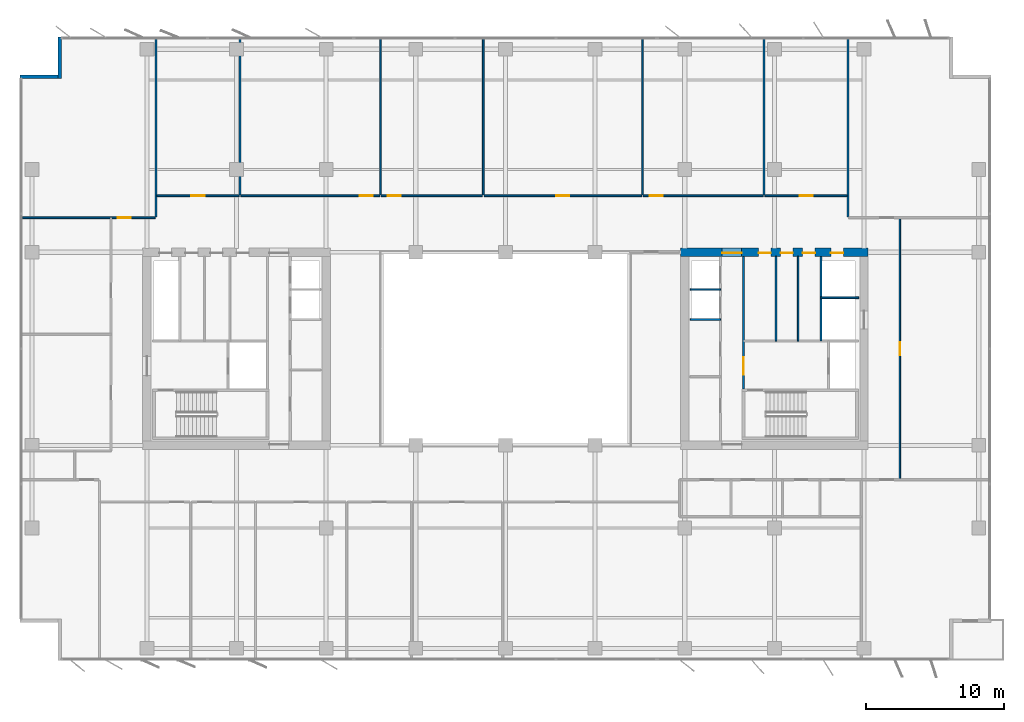
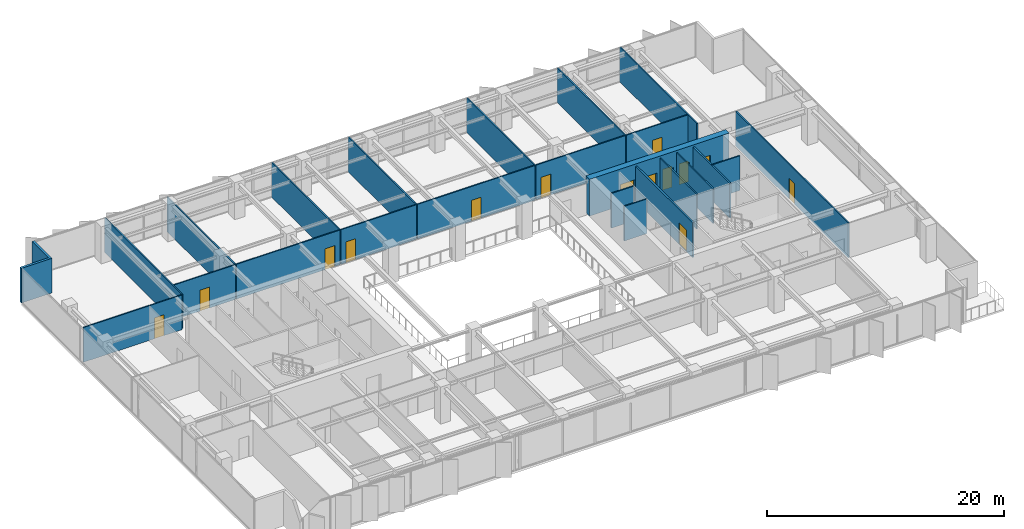
# One storey, part 17 of 22: 25 walls, 14 doors, 14 openings.
"""IFC4 building model written with IfcOpenShell, lengths in metres."""

from ifc_helpers import new_model, si_unit, direction, frame, frame_2d, origin, place, context, subcontext, project, spatial, rectangle, extrude, material, layer, layer_set, type_object, element, fill, save


model = new_model("IFC4")

# Units and contexts
model_context = context("Model", 3, precision=1e-05, world=origin(), true_north=direction((0.0, 1.0)))
body_context = subcontext(model_context, "Body", "Model", "MODEL_VIEW")
ifc_project = project(units=[si_unit("LENGTHUNIT", "METRE"), si_unit("AREAUNIT", "SQUARE_METRE"), si_unit("VOLUMEUNIT", "CUBIC_METRE"), si_unit("PLANEANGLEUNIT", "RADIAN"), si_unit("MASSUNIT", "GRAM", prefix="KILO")], contexts=[model_context])

# Site, building, storey
site_placement = place(None, origin())
site = spatial("IfcSite", under=ifc_project, at=site_placement, CompositionType="ELEMENT")
building_placement = place(site_placement, origin())
building = spatial("IfcBuilding", under=site, at=building_placement, Name="Putna Gate Headquarters", CompositionType="ELEMENT")
storey_placement = place(building_placement, frame((0.0, 0.0, 178.39990234375)))
storey = spatial("IfcBuildingStorey", under=building, at=storey_placement, Name="L44", CompositionType="ELEMENT", Elevation=178.39990234375)

# Wall, openings, doors
ifc_material_1 = material(Name="Concrete C50/60", Category="concrete")
ifc_layer_1 = layer(ifc_material_1, 0.60009765625)
ifc_layer_set_1 = layer_set([ifc_layer_1], Name="Concrete C50/60")
wall_type_1 = type_object("IfcWallType", Name="WALL-CORE-600", PredefinedType="SHEAR", material=ifc_layer_set_1)
wall_1_placement = place(storey_placement, frame((51.699951171875, 33.0, 0.0), z_axis=(0.0, 0.0, 1.0), x_axis=(1.0, 0.0, 0.0)))
wall_1 = element("IfcWall", 1, at=wall_1_placement, inside=storey, type_object=wall_type_1, Name="L44 EC Split Core Shear Wall N", PredefinedType="SHEAR", context=body_context, shape_type="SweptSolid", body=[
    extrude(rectangle(XDim=13.60009765625, YDim=0.60009765625, at=frame_2d((6.800048828125, 0.0))), origin(), (0.0, 0.0, 1.0), 3.800048828125),
])
opening_1_placement = place(wall_1_placement, frame((3.02001953125, 0.0, 0.0)))
opening_1 = element("IfcOpeningElement", 2, at=opening_1_placement, cuts=wall_1, Name="Opening FDD-140", PredefinedType="OPENING", context=body_context, shape_type="SweptSolid", body=[
    extrude(rectangle(XDim=1.39990234375, YDim=2.199951171875, at=frame_2d((0.699951171875, 1.10009765625))), frame((0.0, 0.31005859375, 0.0), z_axis=(0.0, -1.0, 0.0), x_axis=(1.0, 0.0, 0.0)), (0.0, 0.0, 1.0), 0.6201171875),
])
opening_2_placement = place(wall_1_placement, frame((10.89990234375, 0.0, 0.0)))
opening_2 = element("IfcOpeningElement", 3, at=opening_2_placement, cuts=wall_1, Name="Opening RD-90", PredefinedType="OPENING", context=body_context, shape_type="SweptSolid", body=[
    extrude(rectangle(XDim=0.89990234375, YDim=2.14990234375, at=frame_2d((0.449951171875, 1.074951171875))), frame((0.0, 0.31005859375, 0.0), z_axis=(0.0, -1.0, 0.0), x_axis=(1.0, 0.0, 0.0)), (0.0, 0.0, 1.0), 0.6201171875),
])
opening_3_placement = place(wall_1_placement, frame((5.64990234375, 0.0, 0.0)))
opening_3 = element("IfcOpeningElement", 4, at=opening_3_placement, cuts=wall_1, Name="Opening IDS-90", PredefinedType="OPENING", context=body_context, shape_type="SweptSolid", body=[
    extrude(rectangle(XDim=0.89990234375, YDim=2.14990234375, at=frame_2d((0.449951171875, 1.074951171875))), frame((0.0, 0.31005859375, 0.0), z_axis=(0.0, -1.0, 0.0), x_axis=(1.0, 0.0, 0.0)), (0.0, 0.0, 1.0), 0.6201171875),
])
opening_4_placement = place(wall_1_placement, frame((7.25, 0.0, 0.0)))
opening_4 = element("IfcOpeningElement", 5, at=opening_4_placement, cuts=wall_1, Name="Opening IDS-90", PredefinedType="OPENING", context=body_context, shape_type="SweptSolid", body=[
    extrude(rectangle(XDim=0.89990234375, YDim=2.14990234375, at=frame_2d((0.449951171875, 1.074951171875))), frame((0.0, 0.31005859375, 0.0), z_axis=(0.0, -1.0, 0.0), x_axis=(1.0, 0.0, 0.0)), (0.0, 0.0, 1.0), 0.6201171875),
])
opening_5_placement = place(wall_1_placement, frame((8.85009765625, 0.0, 0.0)))
opening_5 = element("IfcOpeningElement", 6, at=opening_5_placement, cuts=wall_1, Name="Opening IDS-90", PredefinedType="OPENING", context=body_context, shape_type="SweptSolid", body=[
    extrude(rectangle(XDim=0.89990234375, YDim=2.14990234375, at=frame_2d((0.449951171875, 1.074951171875))), frame((0.0, 0.31005859375, 0.0), z_axis=(0.0, -1.0, 0.0), x_axis=(1.0, 0.0, 0.0)), (0.0, 0.0, 1.0), 0.6201171875),
])
ifc_material_2 = material(Name="Double steel fire door", Category="steel")
door_type_1 = type_object("IfcDoorType", Name="DOOR-FIRE-DBL-1400", OperationType="DOUBLE_DOOR_SINGLE_SWING", PredefinedType="DOOR", material=ifc_material_2)
door_1_placement = place(opening_1_placement, origin())
door_1 = element("IfcDoor", 7, at=door_1_placement, inside=storey, type_object=door_type_1, Name="L44 East Lift Lobby North Door", OperationType="DOUBLE_DOOR_SINGLE_SWING", OverallHeight=2.199951171875, OverallWidth=1.39990234375, PredefinedType="DOOR", context=body_context, shape_type="SweptSolid", body=[
    extrude(rectangle(XDim=1.39990234375, YDim=2.199951171875, at=frame_2d((0.699951171875, 1.10009765625))), frame((0.0, -0.02490234375, 0.0), z_axis=(0.0, -1.0, 0.0), x_axis=(1.0, 0.0, 0.0)), (0.0, 0.0, 1.0), 0.050048828125),
])
fill(opening_1, door_1)
ifc_material_3 = material(Name="Fire-rated utility door")
door_type_2 = type_object("IfcDoorType", Name="DOOR-INT-900", OperationType="NOTDEFINED", PredefinedType="DOOR", material=ifc_material_3)
door_2_placement = place(opening_3_placement, origin())
door_2 = element("IfcDoor", 8, at=door_2_placement, inside=storey, type_object=door_type_2, Name="L44 East Cleaner Store Door", OperationType="SINGLE_SWING_RIGHT", OverallHeight=2.14990234375, OverallWidth=0.89990234375, PredefinedType="DOOR", context=body_context, shape_type="SweptSolid", body=[
    extrude(rectangle(XDim=0.89990234375, YDim=2.14990234375, at=frame_2d((0.449951171875, 1.074951171875))), frame((0.0, -0.02490234375, 0.0), z_axis=(0.0, -1.0, 0.0), x_axis=(1.0, 0.0, 0.0)), (0.0, 0.0, 1.0), 0.050048828125),
])
fill(opening_3, door_2)
door_3_placement = place(opening_4_placement, origin())
door_3 = element("IfcDoor", 9, at=door_3_placement, inside=storey, type_object=door_type_2, Name="L44 BMS Outstation Door", OperationType="SINGLE_SWING_LEFT", OverallHeight=2.14990234375, OverallWidth=0.89990234375, PredefinedType="DOOR", context=body_context, shape_type="SweptSolid", body=[
    extrude(rectangle(XDim=0.89990234375, YDim=2.14990234375, at=frame_2d((0.449951171875, 1.074951171875))), frame((0.0, -0.02490234375, 0.0), z_axis=(0.0, -1.0, 0.0), x_axis=(1.0, 0.0, 0.0)), (0.0, 0.0, 1.0), 0.050048828125),
])
fill(opening_4, door_3)
door_4_placement = place(opening_5_placement, origin())
door_4 = element("IfcDoor", 10, at=door_4_placement, inside=storey, type_object=door_type_2, Name="L44 Facilities Equipment Store Door", OperationType="SINGLE_SWING_RIGHT", OverallHeight=2.14990234375, OverallWidth=0.89990234375, PredefinedType="DOOR", context=body_context, shape_type="SweptSolid", body=[
    extrude(rectangle(XDim=0.89990234375, YDim=2.14990234375, at=frame_2d((0.449951171875, 1.074951171875))), frame((0.0, -0.02490234375, 0.0), z_axis=(0.0, -1.0, 0.0), x_axis=(1.0, 0.0, 0.0)), (0.0, 0.0, 1.0), 0.050048828125),
])
fill(opening_5, door_4)
ifc_material_4 = material(Name="Steel riser access fire door", Category="steel")
door_type_3 = type_object("IfcDoorType", Name="DOOR-RISER-900", OperationType="NOTDEFINED", PredefinedType="DOOR", material=ifc_material_4)
door_5_placement = place(opening_2_placement, origin())
door_5 = element("IfcDoor", 11, at=door_5_placement, inside=storey, type_object=door_type_3, Name="L44 East Riser Access Door", OperationType="SINGLE_SWING_LEFT", OverallHeight=2.14990234375, OverallWidth=0.89990234375, PredefinedType="DOOR", context=body_context, shape_type="SweptSolid", body=[
    extrude(rectangle(XDim=0.89990234375, YDim=2.14990234375, at=frame_2d((0.449951171875, 1.074951171875))), frame((0.0, -0.02490234375, 0.0), z_axis=(0.0, -1.0, 0.0), x_axis=(1.0, 0.0, 0.0)), (0.0, 0.0, 1.0), 0.050048828125),
])
fill(opening_2, door_5)

# Walls
ifc_material_5 = material(Name="Precast concrete C40/50", Category="concrete")
ifc_layer_2 = layer(ifc_material_5, 0.239990234375)
ifc_layer_set_2 = layer_set([ifc_layer_2], Name="Precast concrete C40/50")
wall_type_2 = type_object("IfcWallType", Name="WALL-EXT-TERR-240", PredefinedType="STANDARD", material=ifc_layer_set_2)
for number, where, z_axis, x_axis, name in (
    (12, (6.679931640625, 45.60009765625, 0.0), (0.0, 0.0, 1.0), (0.0, 1.0, 0.0), "L44 Corner Notch Return Wall NW-V"),
    (13, (3.800048828125, 45.719970703125, 0.0), (0.0, 0.0, 1.0), (1.0, 0.0, 0.0), "L44 Corner Notch Return Wall NW-H"),
):
    element("IfcWall", number, at=place(storey_placement, frame(where, z_axis=z_axis, x_axis=x_axis)), inside=storey, type_object=wall_type_2, Name=name, PredefinedType="STANDARD", context=body_context, shape_type="SweptSolid", body=[
        extrude(rectangle(XDim=3.0, YDim=0.239990234375, at=frame_2d((1.5, 0.0))), origin(), (0.0, 0.0, 1.0), 3.572021484375),
    ])
ifc_material_6 = material(Name="Acoustic gypsum board on metal stud")
ifc_layer_3 = layer(ifc_material_6, 0.1201171875)
ifc_layer_set_3 = layer_set([ifc_layer_3], Name="Acoustic gypsum board on metal stud")
wall_type_3 = type_object("IfcWallType", Name="WALL-PART-120", PredefinedType="PARTITIONING", material=ifc_layer_set_3)
wall_2_placement = place(storey_placement, frame((13.659423828125, 35.56005859375, 0.0), z_axis=(0.0, 0.0, 1.0), x_axis=(0.0, 1.0, 0.0)))
element("IfcWall", 14, at=wall_2_placement, inside=storey, type_object=wall_type_3, Name="L44 Interior Wall PART-L44-NB-DIV-01", PredefinedType="PARTITIONING", context=body_context, shape_type="SweptSolid", body=[
    extrude(rectangle(XDim=13.02001953125, YDim=0.1201171875, at=frame_2d((6.510009765625, 0.0))), origin(), (0.0, 0.0, 1.0), 3.572021484375),
])
for number, where, z_axis, x_axis, name in (
    (15, (19.7529296875, 37.159912109375, 0.0), (0.0, 0.0, 1.0), (0.0, 1.0, 0.0), "L44 Interior Wall PART-L44-NB-DIV-02"),
    (16, (29.9296875, 37.159912109375, 0.0), (0.0, 0.0, 1.0), (0.0, 1.0, 0.0), "L44 Interior Wall PART-L44-NB-DIV-03"),
    (17, (37.38916015625, 37.159912109375, 0.0), (0.0, 0.0, 1.0), (0.0, 1.0, 0.0), "L44 Interior Wall PART-L44-NB-DIV-04"),
    (18, (48.931640625, 37.159912109375, 0.0), (0.0, 0.0, 1.0), (0.0, 1.0, 0.0), "L44 Interior Wall PART-L44-NB-DIV-05"),
    (19, (57.749755859375, 37.159912109375, 0.0), (0.0, 0.0, 1.0), (0.0, 1.0, 0.0), "L44 Interior Wall PART-L44-NB-DIV-06"),
):
    element("IfcWall", number, at=place(storey_placement, frame(where, z_axis=z_axis, x_axis=x_axis)), inside=storey, type_object=wall_type_3, Name=name, PredefinedType="PARTITIONING", context=body_context, shape_type="SweptSolid", body=[
        extrude(rectangle(XDim=11.420166015625, YDim=0.1201171875, at=frame_2d((5.7099609375, 0.0))), origin(), (0.0, 0.0, 1.0), 3.572021484375),
    ])
wall_3_placement = place(storey_placement, frame((63.84326171875, 35.56005859375, 0.0), z_axis=(0.0, 0.0, 1.0), x_axis=(0.0, 1.0, 0.0)))
element("IfcWall", 20, at=wall_3_placement, inside=storey, type_object=wall_type_3, Name="L44 Interior Wall PART-L44-NB-DIV-07", PredefinedType="PARTITIONING", context=body_context, shape_type="SweptSolid", body=[
    extrude(rectangle(XDim=13.02001953125, YDim=0.1201171875, at=frame_2d((6.510009765625, 0.0))), origin(), (0.0, 0.0, 1.0), 3.572021484375),
])
ifc_material_7 = material(Name="Fire-rated shaftwall gypsum board on metal stud")
ifc_layer_4 = layer(ifc_material_7, 0.1201171875)
ifc_layer_set_4 = layer_set([ifc_layer_4], Name="Fire-rated shaftwall gypsum board on metal stud")
wall_type_4 = type_object("IfcWallType", Name="WALL-PART-120-EI120", PredefinedType="PARTITIONING", material=ifc_layer_set_4)
wall_4_placement = place(storey_placement, frame((52.39990234375, 30.31005859375, 0.0), z_axis=(0.0, 0.0, 1.0), x_axis=(1.0, 0.0, 0.0)))
element("IfcWall", 21, at=wall_4_placement, inside=storey, type_object=wall_type_4, Name="L44 Interior Wall CWINT-L44-EC-LF11-DIV", PredefinedType="PARTITIONING", context=body_context, shape_type="SweptSolid", body=[
    extrude(rectangle(XDim=2.2001953125, YDim=0.1201171875, at=frame_2d((1.10009765625, 0.0))), origin(), (0.0, 0.0, 1.0), 3.572021484375),
])
wall_5_placement = place(storey_placement, frame((61.8701171875, 29.699951171875, 0.0), z_axis=(0.0, 0.0, 1.0), x_axis=(1.0, 0.0, 0.0)))
element("IfcWall", 22, at=wall_5_placement, inside=storey, type_object=wall_type_4, Name="L44 Interior Wall CWINT-L44-EC-LF15-N", PredefinedType="PARTITIONING", context=body_context, shape_type="SweptSolid", body=[
    extrude(rectangle(XDim=2.72998046875, YDim=0.1201171875, at=frame_2d((1.364990234375, 0.0))), origin(), (0.0, 0.0, 1.0), 3.572021484375),
])
ifc_material_8 = material(Name="Fire-rated gypsum board on metal stud")
ifc_layer_5 = layer(ifc_material_8, 0.1201171875)
ifc_layer_set_5 = layer_set([ifc_layer_5], Name="Fire-rated gypsum board on metal stud")
wall_type_5 = type_object("IfcWallType", Name="WALL-PART-120-RATED", PredefinedType="PARTITIONING", material=ifc_layer_set_5)
wall_6_placement = place(storey_placement, frame((52.39990234375, 28.1201171875, 0.0), z_axis=(0.0, 0.0, 1.0), x_axis=(1.0, 0.0, 0.0)))
element("IfcWall", 23, at=wall_6_placement, inside=storey, type_object=wall_type_5, Name="L44 Interior Wall CWINT-L44-EC-LF08-DIV", PredefinedType="PARTITIONING", context=body_context, shape_type="SweptSolid", body=[
    extrude(rectangle(XDim=2.2001953125, YDim=0.1201171875, at=frame_2d((1.10009765625, 0.0))), origin(), (0.0, 0.0, 1.0), 3.572021484375),
])
for number, where, z_axis, x_axis, name in (
    (24, (58.6201171875, 26.56005859375, 0.0), (0.0, 0.0, 1.0), (0.0, 1.0, 0.0), "L44 Interior Wall CWINT-L44-EC-K2-D1"),
    (25, (60.219970703125, 26.56005859375, 0.0), (0.0, 0.0, 1.0), (0.0, 1.0, 0.0), "L44 Interior Wall CWINT-L44-EC-K2-D2"),
):
    element("IfcWall", number, at=place(storey_placement, frame(where, z_axis=z_axis, x_axis=x_axis)), inside=storey, type_object=wall_type_5, Name=name, PredefinedType="PARTITIONING", context=body_context, shape_type="SweptSolid", body=[
        extrude(rectangle(XDim=6.139892578125, YDim=0.1201171875, at=frame_2d((3.06982421875, 0.0))), origin(), (0.0, 0.0, 1.0), 3.572021484375),
    ])

# Wall, opening, door
wall_7_placement = place(storey_placement, frame((3.97998046875, 35.5, 0.0), z_axis=(0.0, 0.0, 1.0), x_axis=(1.0, 0.0, 0.0)))
wall_7 = element("IfcWall", 26, at=wall_7_placement, inside=storey, type_object=wall_type_5, Name="L44 Interior Wall PART-L44-NB-CW-01", PredefinedType="PARTITIONING", context=body_context, shape_type="SweptSolid", body=[
    extrude(rectangle(XDim=9.61962890625, YDim=0.1201171875, at=frame_2d((4.809814453125, 0.0))), origin(), (0.0, 0.0, 1.0), 3.572021484375),
])
opening_6_placement = place(wall_7_placement, frame((6.89990234375, 0.0, 0.0)))
opening_6 = element("IfcOpeningElement", 27, at=opening_6_placement, cuts=wall_7, Name="Opening FD-95", PredefinedType="OPENING", context=body_context, shape_type="SweptSolid", body=[
    extrude(rectangle(XDim=0.949951171875, YDim=2.14990234375, at=frame_2d((0.47509765625, 1.074951171875))), frame((0.0, 0.070068359375, 0.0), z_axis=(0.0, -1.0, 0.0), x_axis=(1.0, 0.0, 0.0)), (0.0, 0.0, 1.0), 0.14013671875),
])
ifc_material_9 = material(Name="Acoustic timber fire door", Category="wood")
door_type_4 = type_object("IfcDoorType", Name="DOOR-FIRE-950", OperationType="NOTDEFINED", PredefinedType="DOOR", material=ifc_material_9)
door_6_placement = place(opening_6_placement, origin())
door_6 = element("IfcDoor", 28, at=door_6_placement, inside=storey, type_object=door_type_4, Name="L44 Conference Meeting Room 4 Door", OperationType="SINGLE_SWING_RIGHT", OverallHeight=2.14990234375, OverallWidth=0.949951171875, PredefinedType="DOOR", context=body_context, shape_type="SweptSolid", body=[
    extrude(rectangle(XDim=0.949951171875, YDim=2.14990234375, at=frame_2d((0.47509765625, 1.074951171875))), frame((0.0, 0.02490234375, 0.0), z_axis=(0.0, -1.0, 0.0), x_axis=(1.0, 0.0, 0.0)), (0.0, 0.0, 1.0), 0.050048828125),
])
fill(opening_6, door_6)

wall_8_placement = place(storey_placement, frame((13.719482421875, 37.10009765625, 0.0), z_axis=(0.0, 0.0, 1.0), x_axis=(1.0, 0.0, 0.0)))
wall_8 = element("IfcWall", 29, at=wall_8_placement, inside=storey, type_object=wall_type_5, Name="L44 Interior Wall PART-L44-NB-CW-02", PredefinedType="PARTITIONING", context=body_context, shape_type="SweptSolid", body=[
    extrude(rectangle(XDim=5.9736328125, YDim=0.1201171875, at=frame_2d((2.98681640625, 0.0))), origin(), (0.0, 0.0, 1.0), 3.572021484375),
])
opening_7_placement = place(wall_8_placement, frame((2.51171875, 0.0, 0.0)))
opening_7 = element("IfcOpeningElement", 30, at=opening_7_placement, cuts=wall_8, Name="Opening FD-95", PredefinedType="OPENING", context=body_context, shape_type="SweptSolid", body=[
    extrude(rectangle(XDim=0.949951171875, YDim=2.14990234375, at=frame_2d((0.47509765625, 1.074951171875))), frame((0.0, 0.070068359375, 0.0), z_axis=(0.0, -1.0, 0.0), x_axis=(1.0, 0.0, 0.0)), (0.0, 0.0, 1.0), 0.14013671875),
])
door_7_placement = place(opening_7_placement, origin())
door_7 = element("IfcDoor", 31, at=door_7_placement, inside=storey, type_object=door_type_4, Name="L44 Quiet Wellness Focus Studio 1 Door", OperationType="SINGLE_SWING_LEFT", OverallHeight=2.14990234375, OverallWidth=0.949951171875, PredefinedType="DOOR", context=body_context, shape_type="SweptSolid", body=[
    extrude(rectangle(XDim=0.949951171875, YDim=2.14990234375, at=frame_2d((0.47509765625, 1.074951171875))), frame((0.0, 0.02490234375, 0.0), z_axis=(0.0, -1.0, 0.0), x_axis=(1.0, 0.0, 0.0)), (0.0, 0.0, 1.0), 0.050048828125),
])
fill(opening_7, door_7)

wall_9_placement = place(storey_placement, frame((19.81298828125, 37.10009765625, 0.0), z_axis=(0.0, 0.0, 1.0), x_axis=(1.0, 0.0, 0.0)))
wall_9 = element("IfcWall", 32, at=wall_9_placement, inside=storey, type_object=wall_type_5, Name="L44 Interior Wall PART-L44-NB-CW-03", PredefinedType="PARTITIONING", context=body_context, shape_type="SweptSolid", body=[
    extrude(rectangle(XDim=10.056884765625, YDim=0.1201171875, at=frame_2d((5.0283203125, 0.0))), origin(), (0.0, 0.0, 1.0), 3.572021484375),
])
opening_8_placement = place(wall_9_placement, frame((8.626708984375, 0.0, 0.0)))
opening_8 = element("IfcOpeningElement", 33, at=opening_8_placement, cuts=wall_9, Name="Opening FD-95", PredefinedType="OPENING", context=body_context, shape_type="SweptSolid", body=[
    extrude(rectangle(XDim=0.949951171875, YDim=2.14990234375, at=frame_2d((0.47509765625, 1.074951171875))), frame((0.0, 0.070068359375, 0.0), z_axis=(0.0, -1.0, 0.0), x_axis=(1.0, 0.0, 0.0)), (0.0, 0.0, 1.0), 0.14013671875),
])
door_8_placement = place(opening_8_placement, origin())
door_8 = element("IfcDoor", 34, at=door_8_placement, inside=storey, type_object=door_type_4, Name="L44 Quiet Wellness Focus Studio 2 Door", OperationType="SINGLE_SWING_RIGHT", OverallHeight=2.14990234375, OverallWidth=0.949951171875, PredefinedType="DOOR", context=body_context, shape_type="SweptSolid", body=[
    extrude(rectangle(XDim=0.949951171875, YDim=2.14990234375, at=frame_2d((0.47509765625, 1.074951171875))), frame((0.0, 0.02490234375, 0.0), z_axis=(0.0, -1.0, 0.0), x_axis=(1.0, 0.0, 0.0)), (0.0, 0.0, 1.0), 0.050048828125),
])
fill(opening_8, door_8)

wall_10_placement = place(storey_placement, frame((29.98974609375, 37.10009765625, 0.0), z_axis=(0.0, 0.0, 1.0), x_axis=(1.0, 0.0, 0.0)))
wall_10 = element("IfcWall", 35, at=wall_10_placement, inside=storey, type_object=wall_type_5, Name="L44 Interior Wall PART-L44-NB-CW-04", PredefinedType="PARTITIONING", context=body_context, shape_type="SweptSolid", body=[
    extrude(rectangle(XDim=7.33935546875, YDim=0.1201171875, at=frame_2d((3.669677734375, 0.0))), origin(), (0.0, 0.0, 1.0), 3.572021484375),
])
opening_9_placement = place(wall_10_placement, frame((0.47998046875, 0.0, 0.0)))
opening_9 = element("IfcOpeningElement", 36, at=opening_9_placement, cuts=wall_10, Name="Opening FD-95", PredefinedType="OPENING", context=body_context, shape_type="SweptSolid", body=[
    extrude(rectangle(XDim=0.949951171875, YDim=2.14990234375, at=frame_2d((0.47509765625, 1.074951171875))), frame((0.0, 0.070068359375, 0.0), z_axis=(0.0, -1.0, 0.0), x_axis=(1.0, 0.0, 0.0)), (0.0, 0.0, 1.0), 0.14013671875),
])
door_9_placement = place(opening_9_placement, origin())
door_9 = element("IfcDoor", 37, at=door_9_placement, inside=storey, type_object=door_type_4, Name="L44 Cellular Office 1 Door", OperationType="SINGLE_SWING_LEFT", OverallHeight=2.14990234375, OverallWidth=0.949951171875, PredefinedType="DOOR", context=body_context, shape_type="SweptSolid", body=[
    extrude(rectangle(XDim=0.949951171875, YDim=2.14990234375, at=frame_2d((0.47509765625, 1.074951171875))), frame((0.0, 0.02490234375, 0.0), z_axis=(0.0, -1.0, 0.0), x_axis=(1.0, 0.0, 0.0)), (0.0, 0.0, 1.0), 0.050048828125),
])
fill(opening_9, door_9)

wall_11_placement = place(storey_placement, frame((37.44921875, 37.10009765625, 0.0), z_axis=(0.0, 0.0, 1.0), x_axis=(1.0, 0.0, 0.0)))
wall_11 = element("IfcWall", 38, at=wall_11_placement, inside=storey, type_object=wall_type_5, Name="L44 Interior Wall PART-L44-NB-CW-05", PredefinedType="PARTITIONING", context=body_context, shape_type="SweptSolid", body=[
    extrude(rectangle(XDim=11.42236328125, YDim=0.1201171875, at=frame_2d((5.711181640625, 0.0))), origin(), (0.0, 0.0, 1.0), 3.572021484375),
])
opening_10_placement = place(wall_11_placement, frame((5.236328125, 0.0, 0.0)))
opening_10 = element("IfcOpeningElement", 39, at=opening_10_placement, cuts=wall_11, Name="Opening FD-95", PredefinedType="OPENING", context=body_context, shape_type="SweptSolid", body=[
    extrude(rectangle(XDim=0.949951171875, YDim=2.14990234375, at=frame_2d((0.47509765625, 1.074951171875))), frame((0.0, 0.070068359375, 0.0), z_axis=(0.0, -1.0, 0.0), x_axis=(1.0, 0.0, 0.0)), (0.0, 0.0, 1.0), 0.14013671875),
])
door_10_placement = place(opening_10_placement, origin())
door_10 = element("IfcDoor", 40, at=door_10_placement, inside=storey, type_object=door_type_4, Name="L44 Cellular Office 2 Door", OperationType="SINGLE_SWING_RIGHT", OverallHeight=2.14990234375, OverallWidth=0.949951171875, PredefinedType="DOOR", context=body_context, shape_type="SweptSolid", body=[
    extrude(rectangle(XDim=0.949951171875, YDim=2.14990234375, at=frame_2d((0.47509765625, 1.074951171875))), frame((0.0, 0.02490234375, 0.0), z_axis=(0.0, -1.0, 0.0), x_axis=(1.0, 0.0, 0.0)), (0.0, 0.0, 1.0), 0.050048828125),
])
fill(opening_10, door_10)

wall_12_placement = place(storey_placement, frame((48.99169921875, 37.10009765625, 0.0), z_axis=(0.0, 0.0, 1.0), x_axis=(1.0, 0.0, 0.0)))
wall_12 = element("IfcWall", 41, at=wall_12_placement, inside=storey, type_object=wall_type_5, Name="L44 Interior Wall PART-L44-NB-CW-06", PredefinedType="PARTITIONING", context=body_context, shape_type="SweptSolid", body=[
    extrude(rectangle(XDim=8.697998046875, YDim=0.1201171875, at=frame_2d((4.34912109375, 0.0))), origin(), (0.0, 0.0, 1.0), 3.572021484375),
])
opening_11_placement = place(wall_12_placement, frame((0.47998046875, 0.0, 0.0)))
opening_11 = element("IfcOpeningElement", 42, at=opening_11_placement, cuts=wall_12, Name="Opening FD-95", PredefinedType="OPENING", context=body_context, shape_type="SweptSolid", body=[
    extrude(rectangle(XDim=0.949951171875, YDim=2.14990234375, at=frame_2d((0.47509765625, 1.074951171875))), frame((0.0, 0.070068359375, 0.0), z_axis=(0.0, -1.0, 0.0), x_axis=(1.0, 0.0, 0.0)), (0.0, 0.0, 1.0), 0.14013671875),
])
door_11_placement = place(opening_11_placement, origin())
door_11 = element("IfcDoor", 43, at=door_11_placement, inside=storey, type_object=door_type_4, Name="L44 Cellular Office 3 Door", OperationType="SINGLE_SWING_LEFT", OverallHeight=2.14990234375, OverallWidth=0.949951171875, PredefinedType="DOOR", context=body_context, shape_type="SweptSolid", body=[
    extrude(rectangle(XDim=0.949951171875, YDim=2.14990234375, at=frame_2d((0.47509765625, 1.074951171875))), frame((0.0, 0.02490234375, 0.0), z_axis=(0.0, -1.0, 0.0), x_axis=(1.0, 0.0, 0.0)), (0.0, 0.0, 1.0), 0.050048828125),
])
fill(opening_11, door_11)

wall_13_placement = place(storey_placement, frame((57.809814453125, 37.10009765625, 0.0), z_axis=(0.0, 0.0, 1.0), x_axis=(1.0, 0.0, 0.0)))
wall_13 = element("IfcWall", 44, at=wall_13_placement, inside=storey, type_object=wall_type_5, Name="L44 Interior Wall PART-L44-NB-CW-07", PredefinedType="PARTITIONING", context=body_context, shape_type="SweptSolid", body=[
    extrude(rectangle(XDim=5.973388671875, YDim=0.1201171875, at=frame_2d((2.98681640625, 0.0))), origin(), (0.0, 0.0, 1.0), 3.572021484375),
])
opening_12_placement = place(wall_13_placement, frame((2.51171875, 0.0, 0.0)))
opening_12 = element("IfcOpeningElement", 45, at=opening_12_placement, cuts=wall_13, Name="Opening FD-95", PredefinedType="OPENING", context=body_context, shape_type="SweptSolid", body=[
    extrude(rectangle(XDim=0.949951171875, YDim=2.14990234375, at=frame_2d((0.47509765625, 1.074951171875))), frame((0.0, 0.070068359375, 0.0), z_axis=(0.0, -1.0, 0.0), x_axis=(1.0, 0.0, 0.0)), (0.0, 0.0, 1.0), 0.14013671875),
])
door_12_placement = place(opening_12_placement, origin())
door_12 = element("IfcDoor", 46, at=door_12_placement, inside=storey, type_object=door_type_4, Name="L44 Cellular Office 4 Door", OperationType="SINGLE_SWING_RIGHT", OverallHeight=2.14990234375, OverallWidth=0.949951171875, PredefinedType="DOOR", context=body_context, shape_type="SweptSolid", body=[
    extrude(rectangle(XDim=0.949951171875, YDim=2.14990234375, at=frame_2d((0.47509765625, 1.074951171875))), frame((0.0, 0.02490234375, 0.0), z_axis=(0.0, -1.0, 0.0), x_axis=(1.0, 0.0, 0.0)), (0.0, 0.0, 1.0), 0.050048828125),
])
fill(opening_12, door_12)

wall_14_placement = place(storey_placement, frame((67.60009765625, 16.5, 0.0), z_axis=(0.0, 0.0, 1.0), x_axis=(0.0, 1.0, 0.0)))
wall_14 = element("IfcWall", 47, at=wall_14_placement, inside=storey, type_object=wall_type_5, Name="L44 Interior Wall PART-L44-EW-CW-1", PredefinedType="PARTITIONING", context=body_context, shape_type="SweptSolid", body=[
    extrude(rectangle(XDim=19.0, YDim=0.1201171875, at=frame_2d((9.5, 0.0))), origin(), (0.0, 0.0, 1.0), 3.572021484375),
])
opening_13_placement = place(wall_14_placement, frame((9.02490234375, 0.0, 0.0)))
opening_13 = element("IfcOpeningElement", 48, at=opening_13_placement, cuts=wall_14, Name="Opening FD-95", PredefinedType="OPENING", context=body_context, shape_type="SweptSolid", body=[
    extrude(rectangle(XDim=0.949951171875, YDim=2.14990234375, at=frame_2d((0.47509765625, 1.074951171875))), frame((0.0, 0.070068359375, 0.0), z_axis=(0.0, -1.0, 0.0), x_axis=(1.0, 0.0, 0.0)), (0.0, 0.0, 1.0), 0.14013671875),
])
door_13_placement = place(opening_13_placement, origin())
door_13 = element("IfcDoor", 49, at=door_13_placement, inside=storey, type_object=door_type_4, Name="L44 East Horizon Conference Room 1 Door", OperationType="SINGLE_SWING_RIGHT", OverallHeight=2.14990234375, OverallWidth=0.949951171875, PredefinedType="DOOR", context=body_context, shape_type="SweptSolid", body=[
    extrude(rectangle(XDim=0.949951171875, YDim=2.14990234375, at=frame_2d((0.47509765625, 1.074951171875))), frame((0.0, 0.02490234375, 0.0), z_axis=(0.0, -1.0, 0.0), x_axis=(1.0, 0.0, 0.0)), (0.0, 0.0, 1.0), 0.050048828125),
])
fill(opening_13, door_13)

ifc_material_10 = material(Name="Concrete C40/50", Category="concrete")
ifc_layer_6 = layer(ifc_material_10, 0.159912109375)
ifc_layer_set_6 = layer_set([ifc_layer_6], Name="Concrete C40/50")
wall_type_6 = type_object("IfcWallType", Name="WALL-SHAFT-160", PredefinedType="STANDARD", material=ifc_layer_set_6)
wall_15_placement = place(storey_placement, frame((56.260009765625, 23.090087890625, 0.0), z_axis=(0.0, 0.0, 1.0), x_axis=(0.0, 1.0, 0.0)))
wall_15 = element("IfcWall", 50, at=wall_15_placement, inside=storey, type_object=wall_type_6, Name="L44 Interior Wall CWINT-L44-EC-LOB-E", PredefinedType="STANDARD", context=body_context, shape_type="SweptSolid", body=[
    extrude(rectangle(XDim=9.60986328125, YDim=0.159912109375, at=frame_2d((4.804931640625, 0.0))), origin(), (0.0, 0.0, 1.0), 3.572021484375),
])
opening_14_placement = place(wall_15_placement, frame((1.010009765625, 0.0, 0.0)))
opening_14 = element("IfcOpeningElement", 51, at=opening_14_placement, cuts=wall_15, Name="Opening FDD-130", PredefinedType="OPENING", context=body_context, shape_type="SweptSolid", body=[
    extrude(rectangle(XDim=1.300048828125, YDim=2.199951171875, at=frame_2d((0.64990234375, 1.10009765625))), frame((0.0, 0.08984375, 0.0), z_axis=(0.0, -1.0, 0.0), x_axis=(1.0, 0.0, 0.0)), (0.0, 0.0, 1.0), 0.179931640625),
])
ifc_material_11 = material(Name="Double steel lobby fire door", Category="steel")
door_type_5 = type_object("IfcDoorType", Name="DOOR-FIRE-DBL-1300", OperationType="DOUBLE_DOOR_SINGLE_SWING", PredefinedType="DOOR", material=ifc_material_11)
door_14_placement = place(opening_14_placement, origin())
door_14 = element("IfcDoor", 52, at=door_14_placement, inside=storey, type_object=door_type_5, Name="L44 East Firefighting Lobby Door", OperationType="DOUBLE_DOOR_SINGLE_SWING", OverallHeight=2.199951171875, OverallWidth=1.300048828125, PredefinedType="DOOR", context=body_context, shape_type="SweptSolid", body=[
    extrude(rectangle(XDim=1.300048828125, YDim=2.199951171875, at=frame_2d((0.64990234375, 1.10009765625))), frame((0.0, 0.02490234375, 0.0), z_axis=(0.0, -1.0, 0.0), x_axis=(1.0, 0.0, 0.0)), (0.0, 0.0, 1.0), 0.050048828125),
])
fill(opening_14, door_14)

# Wall
wall_16_placement = place(storey_placement, frame((61.8701171875, 26.56005859375, 0.0), z_axis=(0.0, 0.0, 1.0), x_axis=(0.0, 1.0, 0.0)))
element("IfcWall", 53, at=wall_16_placement, inside=storey, type_object=wall_type_6, Name="L44 Interior Wall CWINT-L44-EC-LF15-W", PredefinedType="STANDARD", context=body_context, shape_type="SweptSolid", body=[
    extrude(rectangle(XDim=6.139892578125, YDim=0.159912109375, at=frame_2d((3.06982421875, 0.0))), origin(), (0.0, 0.0, 1.0), 3.572021484375),
])

save(model, "model.ifc")
